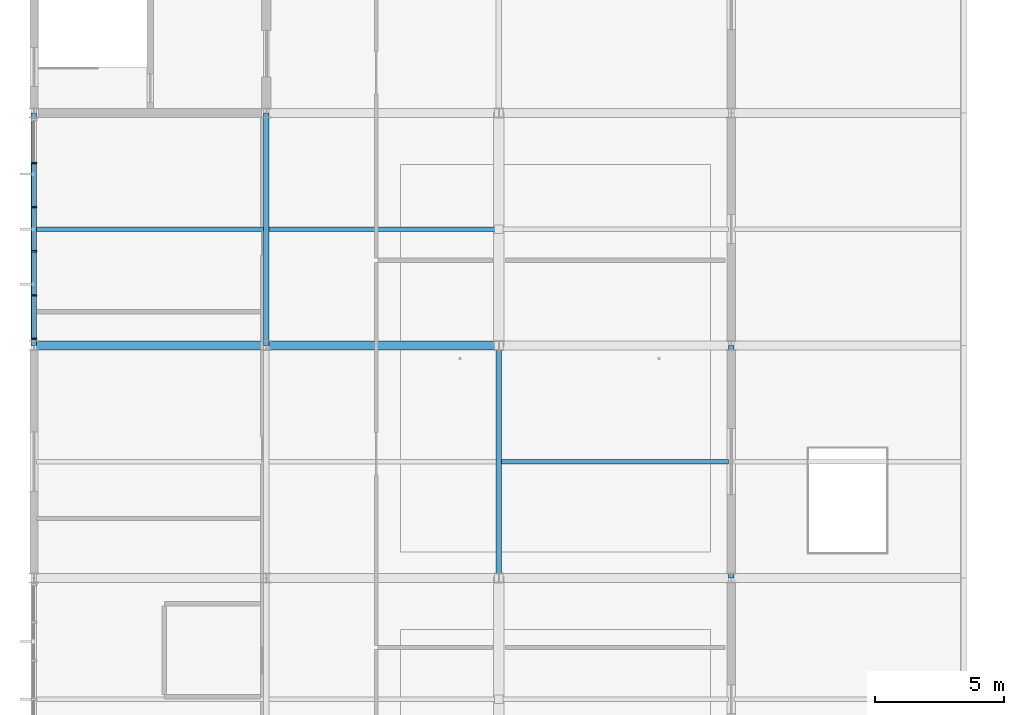
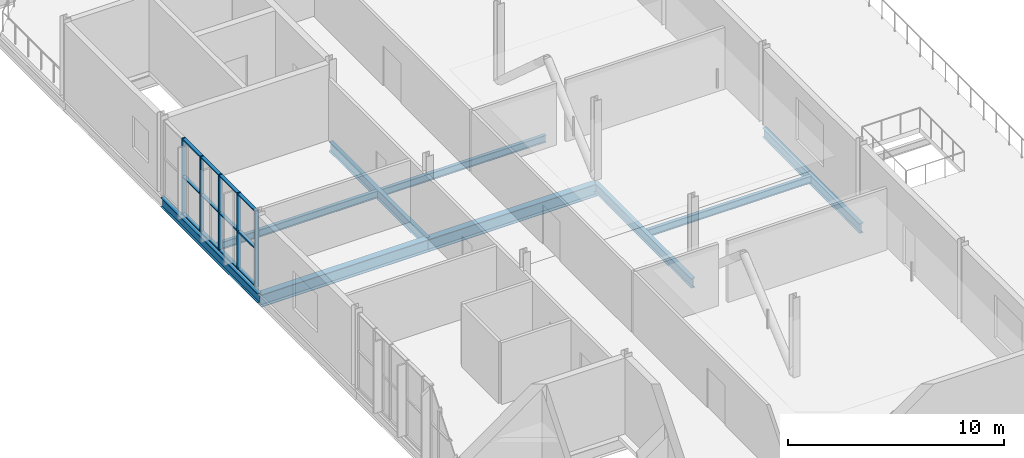
# One storey, part 5 of 53: 17 members, 9 beams, 1 element without a shape of its own.
"""IFC4 building model written with IfcOpenShell, lengths in metres."""

from ifc_helpers import new_model, si_unit, direction, frame, origin, origin_2d, place, context, subcontext, project, spatial, rectangle, i_section, extrude, material, layer, layer_set, material_profile, profile_set, type_object, element, aggregate, save


model = new_model("IFC4")

# Units and contexts
model_context = context("Model", 3, precision=1e-05, world=origin(), true_north=direction((0.0, 1.0)))
body_context = subcontext(model_context, "Body", "Model", "MODEL_VIEW")
ifc_project = project(units=[si_unit("LENGTHUNIT", "METRE"), si_unit("AREAUNIT", "SQUARE_METRE"), si_unit("VOLUMEUNIT", "CUBIC_METRE"), si_unit("PLANEANGLEUNIT", "RADIAN"), si_unit("MASSUNIT", "GRAM", prefix="KILO")], contexts=[model_context])

# Site, building, storey
site_placement = place(None, origin())
site = spatial("IfcSite", under=ifc_project, at=site_placement, CompositionType="ELEMENT")
building_placement = place(site_placement, origin())
building = spatial("IfcBuilding", under=site, at=building_placement, Name="Cazmaro Siding Exhibition Halls", CompositionType="ELEMENT")
storey_placement = place(building_placement, frame((0.0, 0.0, 21.0)))
storey = spatial("IfcBuildingStorey", under=building, at=storey_placement, Name="L04", CompositionType="ELEMENT", Elevation=21.0)

# Beams
ifc_material_1 = material(Name="Steel ASTM A992 Grade 50", Category="steel")
ifc_material_profile_1 = material_profile(ifc_material_1, i_section(OverallWidth=0.214111328125, OverallDepth=0.549072265625, WebThickness=0.014892578125, FlangeThickness=0.02392578125, at=origin_2d()), Name="W21X93")
ifc_profile_set_1 = profile_set([ifc_material_profile_1], Name="Steel ASTM A992 Grade 50")
beam_type_1 = type_object("IfcBeamType", Name="B-01", PredefinedType="BEAM", material=ifc_profile_set_1)
for number, where, z_axis, x_axis, name in (
    (1, (0.0, 82.0, -0.493896484375), (0.0, 1.0, 0.0), (-1.0, 0.0, 0.0), "Beam B-01 BM-2331"),
    (2, (9.0, 82.0, -0.493896484375), (0.0, 1.0, 0.0), (-1.0, 0.0, 0.0), "Beam B-01 BM-2337"),
    (3, (18.0, 73.0, -0.493896484375), (0.0, 1.0, 0.0), (-1.0, 0.0, 0.0), "Beam B-01 BM-2342"),
    (4, (27.0, 73.0, -0.5439453125), (0.0, 1.0, 0.0), (-1.0, 0.0, 0.0), "Beam B-01 BM-2348"),
):
    element("IfcBeam", number, at=place(storey_placement, frame(where, z_axis=z_axis, x_axis=x_axis)), inside=storey, type_object=beam_type_1, Name=name, PredefinedType="BEAM", context=body_context, shape_type="SweptSolid", body=[
        extrude(i_section(OverallWidth=0.214111328125, OverallDepth=0.549072265625, WebThickness=0.014892578125, FlangeThickness=0.02392578125, at=origin_2d()), origin(), (0.0, 0.0, 1.0), 9.0),
    ])

# Curtain wall, members
ifc_material_2 = material(Name="Anodized Bronze Aluminum and Solar-Control Low-E Glazing", Category="aluminium")
ifc_layer = layer(ifc_material_2, 0.199951171875)
ifc_layer_set = layer_set([ifc_layer], Name="Anodized Bronze Aluminum and Solar-Control Low-E Glazing")
curtain_wall_type = type_object("IfcCurtainWallType", Name="CWS-02", PredefinedType="USERDEFINED", material=ifc_layer_set)
curtain_wall_placement = place(storey_placement, origin())
curtain_wall = element("IfcCurtainWall", 5, at=curtain_wall_placement, inside=storey, type_object=curtain_wall_type, Name="Glazed Curtain Wall CWS-02 CW-257", ObjectType="GLAZED CURTAIN WALL", PredefinedType="USERDEFINED")
ifc_material_3 = material(Name="Anodized Bronze Extruded Aluminum", Category="aluminium")
ifc_material_profile_2 = material_profile(ifc_material_3, rectangle(XDim=0.199951171875, YDim=0.06494140625, at=origin_2d()), Name="CWM-02")
ifc_profile_set_2 = profile_set([ifc_material_profile_2], Name="Anodized Bronze Extruded Aluminum")
member_type_1 = type_object("IfcMemberType", Name="CWM-02", PredefinedType="MULLION", material=ifc_profile_set_2)
member_1_placement = place(storey_placement, frame((0.0, 89.061279296875, 0.0), z_axis=(0.0, 0.0, 1.0), x_axis=(1.0, 0.0, 0.0)))
member_1 = element("IfcMember", 6, at=member_1_placement, type_object=member_type_1, Name="CWS-02 mullion 2", PredefinedType="MULLION", context=body_context, shape_type="SweptSolid", body=[
    extrude(rectangle(XDim=0.199951171875, YDim=0.06494140625, at=origin_2d()), origin(), (0.0, 0.0, 1.0), 4.2900390625),
])
member_2_placement = place(storey_placement, frame((0.0, 87.353759765625, 0.0), z_axis=(0.0, 0.0, 1.0), x_axis=(1.0, 0.0, 0.0)))
member_2 = element("IfcMember", 7, at=member_2_placement, type_object=member_type_1, Name="CWS-02 mullion 3", PredefinedType="MULLION", context=body_context, shape_type="SweptSolid", body=[
    extrude(rectangle(XDim=0.199951171875, YDim=0.06494140625, at=origin_2d()), origin(), (0.0, 0.0, 1.0), 4.2900390625),
])
member_3_placement = place(storey_placement, frame((0.0, 85.646240234375, 0.0), z_axis=(0.0, 0.0, 1.0), x_axis=(1.0, 0.0, 0.0)))
member_3 = element("IfcMember", 8, at=member_3_placement, type_object=member_type_1, Name="CWS-02 mullion 4", PredefinedType="MULLION", context=body_context, shape_type="SweptSolid", body=[
    extrude(rectangle(XDim=0.199951171875, YDim=0.06494140625, at=origin_2d()), origin(), (0.0, 0.0, 1.0), 4.2900390625),
])
member_4_placement = place(storey_placement, frame((0.0, 83.938720703125, 0.0), z_axis=(0.0, 0.0, 1.0), x_axis=(1.0, 0.0, 0.0)))
member_4 = element("IfcMember", 9, at=member_4_placement, type_object=member_type_1, Name="CWS-02 mullion 5", PredefinedType="MULLION", context=body_context, shape_type="SweptSolid", body=[
    extrude(rectangle(XDim=0.199951171875, YDim=0.06494140625, at=origin_2d()), origin(), (0.0, 0.0, 1.0), 4.2900390625),
])
member_5_placement = place(storey_placement, frame((0.0, 82.263427734375, 0.0), z_axis=(0.0, 0.0, 1.0), x_axis=(1.0, 0.0, 0.0)))
member_5 = element("IfcMember", 10, at=member_5_placement, type_object=member_type_1, Name="CWS-02 mullion 6", PredefinedType="MULLION", context=body_context, shape_type="SweptSolid", body=[
    extrude(rectangle(XDim=0.199951171875, YDim=0.06494140625, at=origin_2d()), origin(), (0.0, 0.0, 1.0), 4.2900390625),
])
ifc_material_4 = material(Name="Anodized Bronze Extruded Aluminum", Category="aluminium")
ifc_material_profile_3 = material_profile(ifc_material_4, rectangle(XDim=0.179931640625, YDim=0.06494140625, at=origin_2d()), Name="CWT-02")
ifc_profile_set_3 = profile_set([ifc_material_profile_3], Name="Anodized Bronze Extruded Aluminum")
member_type_2 = type_object("IfcMemberType", Name="CWT-02", PredefinedType="MULLION", material=ifc_profile_set_3)
member_6_placement = place(storey_placement, frame((0.0, 89.02880859375, 0.032470703125), z_axis=(0.0, -1.0, 0.0), x_axis=(1.0, 0.0, 0.0)))
member_6 = element("IfcMember", 11, at=member_6_placement, type_object=member_type_2, Name="CWS-02 transom 2.1", ObjectType="TRANSOM", PredefinedType="USERDEFINED", context=body_context, shape_type="SweptSolid", body=[
    extrude(rectangle(XDim=0.179931640625, YDim=0.06494140625, at=origin_2d()), origin(), (0.0, 0.0, 1.0), 1.642578125),
])
member_7_placement = place(storey_placement, frame((0.0, 89.02880859375, 2.14501953125), z_axis=(0.0, -1.0, 0.0), x_axis=(1.0, 0.0, 0.0)))
member_7 = element("IfcMember", 12, at=member_7_placement, type_object=member_type_2, Name="CWS-02 transom 2.2", ObjectType="TRANSOM", PredefinedType="USERDEFINED", context=body_context, shape_type="SweptSolid", body=[
    extrude(rectangle(XDim=0.179931640625, YDim=0.06494140625, at=origin_2d()), origin(), (0.0, 0.0, 1.0), 1.642578125),
])
member_8_placement = place(storey_placement, frame((0.0, 89.02880859375, 4.257568359375), z_axis=(0.0, -1.0, 0.0), x_axis=(1.0, 0.0, 0.0)))
member_8 = element("IfcMember", 13, at=member_8_placement, type_object=member_type_2, Name="CWS-02 transom 2.3", ObjectType="TRANSOM", PredefinedType="USERDEFINED", context=body_context, shape_type="SweptSolid", body=[
    extrude(rectangle(XDim=0.179931640625, YDim=0.06494140625, at=origin_2d()), origin(), (0.0, 0.0, 1.0), 1.642578125),
])
member_9_placement = place(storey_placement, frame((0.0, 87.3212890625, 0.032470703125), z_axis=(0.0, -1.0, 0.0), x_axis=(1.0, 0.0, 0.0)))
member_9 = element("IfcMember", 14, at=member_9_placement, type_object=member_type_2, Name="CWS-02 transom 3.1", ObjectType="TRANSOM", PredefinedType="USERDEFINED", context=body_context, shape_type="SweptSolid", body=[
    extrude(rectangle(XDim=0.179931640625, YDim=0.06494140625, at=origin_2d()), origin(), (0.0, 0.0, 1.0), 1.642578125),
])
member_10_placement = place(storey_placement, frame((0.0, 87.3212890625, 2.14501953125), z_axis=(0.0, -1.0, 0.0), x_axis=(1.0, 0.0, 0.0)))
member_10 = element("IfcMember", 15, at=member_10_placement, type_object=member_type_2, Name="CWS-02 transom 3.2", ObjectType="TRANSOM", PredefinedType="USERDEFINED", context=body_context, shape_type="SweptSolid", body=[
    extrude(rectangle(XDim=0.179931640625, YDim=0.06494140625, at=origin_2d()), origin(), (0.0, 0.0, 1.0), 1.642578125),
])
member_11_placement = place(storey_placement, frame((0.0, 87.3212890625, 4.257568359375), z_axis=(0.0, -1.0, 0.0), x_axis=(1.0, 0.0, 0.0)))
member_11 = element("IfcMember", 16, at=member_11_placement, type_object=member_type_2, Name="CWS-02 transom 3.3", ObjectType="TRANSOM", PredefinedType="USERDEFINED", context=body_context, shape_type="SweptSolid", body=[
    extrude(rectangle(XDim=0.179931640625, YDim=0.06494140625, at=origin_2d()), origin(), (0.0, 0.0, 1.0), 1.642578125),
])
member_12_placement = place(storey_placement, frame((0.0, 85.61376953125, 0.032470703125), z_axis=(0.0, -1.0, 0.0), x_axis=(1.0, 0.0, 0.0)))
member_12 = element("IfcMember", 17, at=member_12_placement, type_object=member_type_2, Name="CWS-02 transom 4.1", ObjectType="TRANSOM", PredefinedType="USERDEFINED", context=body_context, shape_type="SweptSolid", body=[
    extrude(rectangle(XDim=0.179931640625, YDim=0.06494140625, at=origin_2d()), origin(), (0.0, 0.0, 1.0), 1.642578125),
])
member_13_placement = place(storey_placement, frame((0.0, 85.61376953125, 2.14501953125), z_axis=(0.0, -1.0, 0.0), x_axis=(1.0, 0.0, 0.0)))
member_13 = element("IfcMember", 18, at=member_13_placement, type_object=member_type_2, Name="CWS-02 transom 4.2", ObjectType="TRANSOM", PredefinedType="USERDEFINED", context=body_context, shape_type="SweptSolid", body=[
    extrude(rectangle(XDim=0.179931640625, YDim=0.06494140625, at=origin_2d()), origin(), (0.0, 0.0, 1.0), 1.642578125),
])
member_14_placement = place(storey_placement, frame((0.0, 85.61376953125, 4.257568359375), z_axis=(0.0, -1.0, 0.0), x_axis=(1.0, 0.0, 0.0)))
member_14 = element("IfcMember", 19, at=member_14_placement, type_object=member_type_2, Name="CWS-02 transom 4.3", ObjectType="TRANSOM", PredefinedType="USERDEFINED", context=body_context, shape_type="SweptSolid", body=[
    extrude(rectangle(XDim=0.179931640625, YDim=0.06494140625, at=origin_2d()), origin(), (0.0, 0.0, 1.0), 1.642578125),
])
member_15_placement = place(storey_placement, frame((0.0, 83.906005859375, 0.032470703125), z_axis=(0.0, -1.0, 0.0), x_axis=(1.0, 0.0, 0.0)))
member_15 = element("IfcMember", 20, at=member_15_placement, type_object=member_type_2, Name="CWS-02 transom 5.1", ObjectType="TRANSOM", PredefinedType="USERDEFINED", context=body_context, shape_type="SweptSolid", body=[
    extrude(rectangle(XDim=0.179931640625, YDim=0.06494140625, at=origin_2d()), origin(), (0.0, 0.0, 1.0), 1.610107421875),
])
member_16_placement = place(storey_placement, frame((0.0, 83.906005859375, 2.14501953125), z_axis=(0.0, -1.0, 0.0), x_axis=(1.0, 0.0, 0.0)))
member_16 = element("IfcMember", 21, at=member_16_placement, type_object=member_type_2, Name="CWS-02 transom 5.2", ObjectType="TRANSOM", PredefinedType="USERDEFINED", context=body_context, shape_type="SweptSolid", body=[
    extrude(rectangle(XDim=0.179931640625, YDim=0.06494140625, at=origin_2d()), origin(), (0.0, 0.0, 1.0), 1.610107421875),
])
member_17_placement = place(storey_placement, frame((0.0, 83.906005859375, 4.257568359375), z_axis=(0.0, -1.0, 0.0), x_axis=(1.0, 0.0, 0.0)))
member_17 = element("IfcMember", 22, at=member_17_placement, type_object=member_type_2, Name="CWS-02 transom 5.3", ObjectType="TRANSOM", PredefinedType="USERDEFINED", context=body_context, shape_type="SweptSolid", body=[
    extrude(rectangle(XDim=0.179931640625, YDim=0.06494140625, at=origin_2d()), origin(), (0.0, 0.0, 1.0), 1.610107421875),
])
aggregate(curtain_wall, [member_1, member_2, member_3, member_4, member_5, member_6, member_7, member_8, member_9, member_10, member_11, member_12, member_13, member_14, member_15, member_16, member_17])

# Beams
ifc_material_5 = material(Name="Steel ASTM A992 Grade 50", Category="steel")
ifc_material_profile_4 = material_profile(ifc_material_5, i_section(OverallWidth=0.35595703125, OverallDepth=0.696044921875, WebThickness=0.014892578125, FlangeThickness=0.02490234375, at=origin_2d()), Name="W27X146")
ifc_profile_set_4 = profile_set([ifc_material_profile_4], Name="Steel ASTM A992 Grade 50")
beam_type_2 = type_object("IfcBeamType", Name="G-05", PredefinedType="USERDEFINED", material=ifc_profile_set_4)
for number, where, z_axis, x_axis, name in (
    (23, (0.0, 82.0, -0.568115234375), (1.0, 0.0, 0.0), (0.0, 1.0, 0.0), "Beam G-05 BM-2281"),
    (24, (9.0, 82.0, -0.568115234375), (1.0, 0.0, 0.0), (0.0, 1.0, 0.0), "Beam G-05 BM-2292"),
):
    element("IfcBeam", number, at=place(storey_placement, frame(where, z_axis=z_axis, x_axis=x_axis)), inside=storey, type_object=beam_type_2, Name=name, ObjectType="GIRDER", PredefinedType="USERDEFINED", context=body_context, shape_type="SweptSolid", body=[
        extrude(i_section(OverallWidth=0.35595703125, OverallDepth=0.696044921875, WebThickness=0.014892578125, FlangeThickness=0.02490234375, at=origin_2d()), origin(), (0.0, 0.0, 1.0), 9.0),
    ])
ifc_material_6 = material(Name="Steel ASTM A992 Grade 50", Category="steel")
ifc_material_profile_5 = material_profile(ifc_material_6, i_section(OverallWidth=0.177978515625, OverallDepth=0.406005859375, WebThickness=0.008056640625, FlangeThickness=0.012939453125, at=origin_2d()), Name="W16X40")
ifc_profile_set_5 = profile_set([ifc_material_profile_5], Name="Steel ASTM A992 Grade 50")
beam_type_3 = type_object("IfcBeamType", Name="J-02", PredefinedType="JOIST", material=ifc_profile_set_5)
for number, where, z_axis, x_axis, name in (
    (25, (0.10693359375, 86.5, -0.423095703125), (1.0, 0.0, 0.0), (0.0, 1.0, 0.0), "Beam J-02 BM-2287"),
    (26, (9.10693359375, 86.5, -0.423095703125), (1.0, 0.0, 0.0), (0.0, 1.0, 0.0), "Beam J-02 BM-2299"),
    (27, (18.10693359375, 77.5, -0.423095703125), (1.0, 0.0, 0.0), (0.0, 1.0, 0.0), "Beam J-02 BM-2311"),
):
    element("IfcBeam", number, at=place(storey_placement, frame(where, z_axis=z_axis, x_axis=x_axis)), inside=storey, type_object=beam_type_3, Name=name, PredefinedType="JOIST", context=body_context, shape_type="SweptSolid", body=[
        extrude(i_section(OverallWidth=0.177978515625, OverallDepth=0.406005859375, WebThickness=0.008056640625, FlangeThickness=0.012939453125, at=origin_2d()), origin(), (0.0, 0.0, 1.0), 8.7861328125),
    ])

save(model, "model.ifc")
